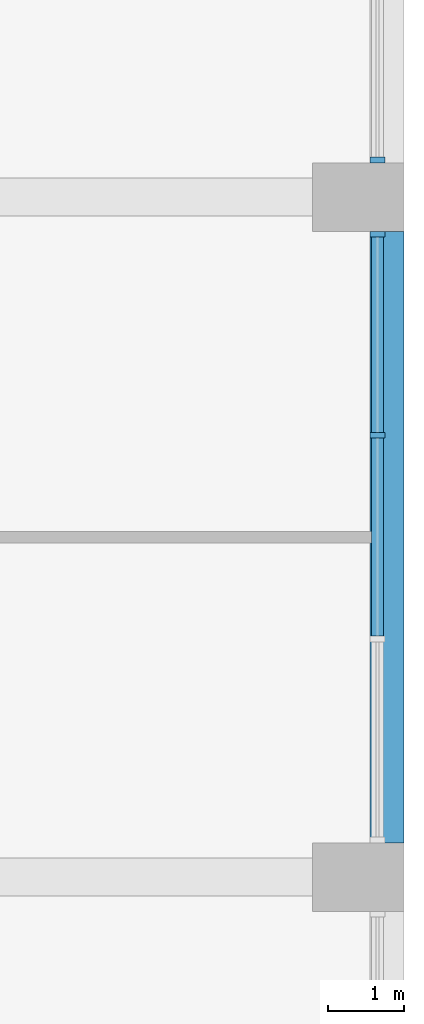
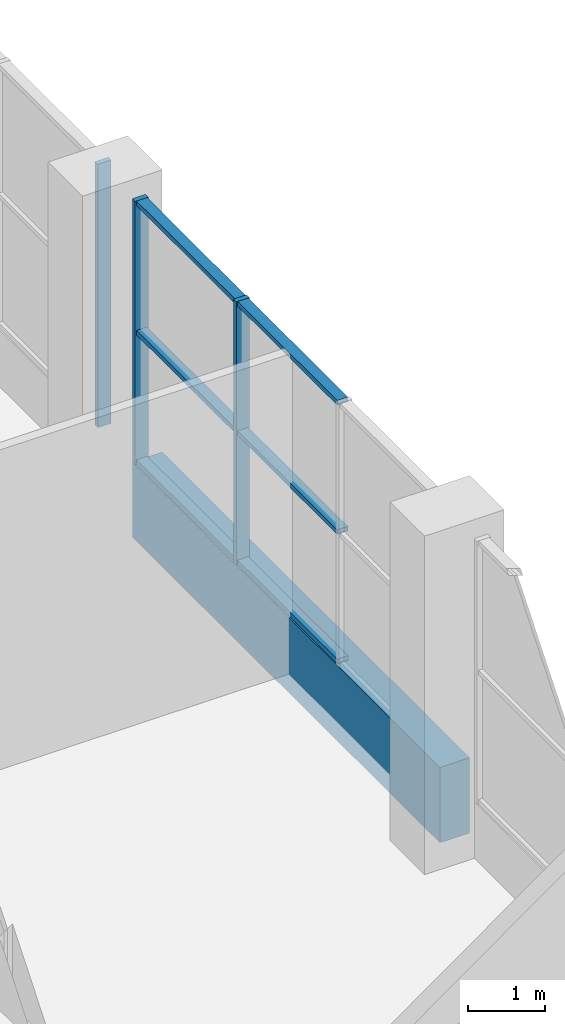
# One storey, part 5 of 16: 9 members, 1 beam, 2 elements without a shape of their own.
"""IFC4 building model written with IfcOpenShell, lengths in metres."""

from ifc_helpers import new_model, si_unit, direction, frame, origin, origin_2d, place, context, subcontext, project, spatial, rectangle, extrude, material, material_profile, profile_set, type_object, element, aggregate, save


model = new_model("IFC4")

# Units and contexts
model_context = context("Model", 3, precision=1e-05, world=origin(), true_north=direction((0.0, 1.0)))
body_context = subcontext(model_context, "Body", "Model", "MODEL_VIEW")
ifc_project = project(units=[si_unit("LENGTHUNIT", "METRE"), si_unit("AREAUNIT", "SQUARE_METRE"), si_unit("VOLUMEUNIT", "CUBIC_METRE"), si_unit("PLANEANGLEUNIT", "RADIAN"), si_unit("MASSUNIT", "GRAM", prefix="KILO")], contexts=[model_context])

# Site, building, storey
site_placement = place(None, origin())
site = spatial("IfcSite", under=ifc_project, at=site_placement, CompositionType="ELEMENT")
building_placement = place(site_placement, origin())
building = spatial("IfcBuilding", under=site, at=building_placement, Name="Msitu Wima Residences", CompositionType="ELEMENT")
storey_placement = place(building_placement, frame((0.0, 0.0, 156.89990234375)))
storey = spatial("IfcBuildingStorey", under=building, at=storey_placement, Name="L36", CompositionType="ELEMENT", Elevation=156.89990234375)

# Curtain wall, members
ifc_material_1 = material(Name="Anodised aluminium, bronze finish, solar control laminated double glazing", Category="aluminium")
curtain_wall_type = type_object("IfcCurtainWallType", Name="Curtain wall CW2 sky amenity wall", PredefinedType="NOTDEFINED", material=ifc_material_1)
curtain_wall_1_placement = place(storey_placement, origin())
curtain_wall_1 = element("IfcCurtainWall", 1, at=curtain_wall_1_placement, inside=storey, type_object=curtain_wall_type, Name="Curtain wall CW2 L36 E1", PredefinedType="NOTDEFINED")
ifc_material_2 = material(Name="Anodised aluminium, bronze finish", Category="aluminium")
ifc_material_profile_1 = material_profile(ifc_material_2, rectangle(XDim=0.199951171875, YDim=0.074951171875, at=origin_2d()), Name="Mullion 75x200")
ifc_profile_set_1 = profile_set([ifc_material_profile_1], Name="Anodised aluminium, bronze finish")
member_type_1 = type_object("IfcMemberType", Name="Mullion CW2 75x200", PredefinedType="MULLION", material=ifc_profile_set_1)
member_1_placement = place(storey_placement, frame((26.5, 1.339599609375, 0.900146484375), z_axis=(0.0, 0.0, 1.0), x_axis=(-1.0, 0.0, 0.0)))
member_1 = element("IfcMember", 2, at=member_1_placement, type_object=member_type_1, Name="CW2 mullion 3", PredefinedType="MULLION", context=body_context, shape_type="SweptSolid", body=[
    extrude(rectangle(XDim=0.199951171875, YDim=0.074951171875, at=origin_2d()), origin(), (0.0, 0.0, 1.0), 4.199951171875),
])
member_2_placement = place(storey_placement, frame((26.5, 3.981201171875, 0.900146484375), z_axis=(0.0, 0.0, 1.0), x_axis=(-1.0, 0.0, 0.0)))
member_2 = element("IfcMember", 3, at=member_2_placement, type_object=member_type_1, Name="CW2 mullion 4", PredefinedType="MULLION", context=body_context, shape_type="SweptSolid", body=[
    extrude(rectangle(XDim=0.199951171875, YDim=0.074951171875, at=origin_2d()), origin(), (0.0, 0.0, 1.0), 4.199951171875),
])

# Curtain wall, member
curtain_wall_2_placement = place(storey_placement, origin())
curtain_wall_2 = element("IfcCurtainWall", 4, at=curtain_wall_2_placement, inside=storey, type_object=curtain_wall_type, Name="Curtain wall CW2 L36 E2", PredefinedType="NOTDEFINED")
member_3_placement = place(storey_placement, frame((26.5, 4.9560546875, 0.900146484375), z_axis=(0.0, 0.0, 1.0), x_axis=(-1.0, 0.0, 0.0)))
member_3 = element("IfcMember", 5, at=member_3_placement, type_object=member_type_1, Name="CW2 mullion 1", PredefinedType="MULLION", context=body_context, shape_type="SweptSolid", body=[
    extrude(rectangle(XDim=0.199951171875, YDim=0.074951171875, at=origin_2d()), origin(), (0.0, 0.0, 1.0), 4.199951171875),
])
aggregate(curtain_wall_2, [member_3])

# Beam
ifc_material_3 = material(Name="Concrete C50/60", Category="concrete")
ifc_material_profile_2 = material_profile(ifc_material_3, rectangle(XDim=0.449951171875, YDim=1.199951171875, at=origin_2d()), Name="RC 450x1200")
ifc_profile_set_2 = profile_set([ifc_material_profile_2], Name="Concrete C50/60")
beam_type = type_object("IfcBeamType", Name="Spandrel RC 450x1200 Concrete C50/60", PredefinedType="SPANDREL", material=ifc_profile_set_2)
beam_placement = place(storey_placement, frame((26.625, -4.0185546875, 0.300048828125), z_axis=(0.0, 1.0, 0.0), x_axis=(-1.0, 0.0, 0.0)))
element("IfcBeam", 6, at=beam_placement, inside=storey, type_object=beam_type, Name="Spandrel L36 E1", PredefinedType="SPANDREL", context=body_context, shape_type="SweptSolid", body=[
    extrude(rectangle(XDim=0.449951171875, YDim=1.199951171875, at=origin_2d()), origin(), (0.0, 0.0, 1.0), 8.037109375),
])

# Member
ifc_material_profile_3 = material_profile(ifc_material_2, rectangle(XDim=0.159912109375, YDim=0.074951171875, at=origin_2d()), Name="Transom 75x160")
ifc_profile_set_3 = profile_set([ifc_material_profile_3], Name="Anodised aluminium, bronze finish")
member_type_2 = type_object("IfcMemberType", Name="Transom CW2 75x160", PredefinedType="USERDEFINED", material=ifc_profile_set_3)
member_4_placement = place(storey_placement, frame((26.5, -1.302001953125, 0.9375), z_axis=(0.0, 1.0, 0.0), x_axis=(-1.0, 0.0, 0.0)))
member_4 = element("IfcMember", 7, at=member_4_placement, type_object=member_type_2, Name="CW2 transom 2.1", ObjectType="TRANSOM", PredefinedType="USERDEFINED", context=body_context, shape_type="SweptSolid", body=[
    extrude(rectangle(XDim=0.159912109375, YDim=0.074951171875, at=origin_2d()), origin(), (0.0, 0.0, 1.0), 2.60400390625),
])

member_5_placement = place(storey_placement, frame((26.5, -1.302001953125, 3.0), z_axis=(0.0, 1.0, 0.0), x_axis=(-1.0, 0.0, 0.0)))
member_5 = element("IfcMember", 8, at=member_5_placement, type_object=member_type_2, Name="CW2 transom 2.2", ObjectType="TRANSOM", PredefinedType="USERDEFINED", context=body_context, shape_type="SweptSolid", body=[
    extrude(rectangle(XDim=0.159912109375, YDim=0.074951171875, at=origin_2d()), origin(), (0.0, 0.0, 1.0), 2.60400390625),
])

member_6_placement = place(storey_placement, frame((26.5, -1.302001953125, 5.0625), z_axis=(0.0, 1.0, 0.0), x_axis=(-1.0, 0.0, 0.0)))
member_6 = element("IfcMember", 9, at=member_6_placement, type_object=member_type_2, Name="CW2 transom 2.3", ObjectType="TRANSOM", PredefinedType="USERDEFINED", context=body_context, shape_type="SweptSolid", body=[
    extrude(rectangle(XDim=0.159912109375, YDim=0.074951171875, at=origin_2d()), origin(), (0.0, 0.0, 1.0), 2.60400390625),
])

member_7_placement = place(storey_placement, frame((26.5, 1.376953125, 0.9375), z_axis=(0.0, 1.0, 0.0), x_axis=(-1.0, 0.0, 0.0)))
member_7 = element("IfcMember", 10, at=member_7_placement, type_object=member_type_2, Name="CW2 transom 3.1", ObjectType="TRANSOM", PredefinedType="USERDEFINED", context=body_context, shape_type="SweptSolid", body=[
    extrude(rectangle(XDim=0.159912109375, YDim=0.074951171875, at=origin_2d()), origin(), (0.0, 0.0, 1.0), 2.566650390625),
])

member_8_placement = place(storey_placement, frame((26.5, 1.376953125, 3.0), z_axis=(0.0, 1.0, 0.0), x_axis=(-1.0, 0.0, 0.0)))
member_8 = element("IfcMember", 11, at=member_8_placement, type_object=member_type_2, Name="CW2 transom 3.2", ObjectType="TRANSOM", PredefinedType="USERDEFINED", context=body_context, shape_type="SweptSolid", body=[
    extrude(rectangle(XDim=0.159912109375, YDim=0.074951171875, at=origin_2d()), origin(), (0.0, 0.0, 1.0), 2.566650390625),
])

member_9_placement = place(storey_placement, frame((26.5, 1.376953125, 5.0625), z_axis=(0.0, 1.0, 0.0), x_axis=(-1.0, 0.0, 0.0)))
member_9 = element("IfcMember", 12, at=member_9_placement, type_object=member_type_2, Name="CW2 transom 3.3", ObjectType="TRANSOM", PredefinedType="USERDEFINED", context=body_context, shape_type="SweptSolid", body=[
    extrude(rectangle(XDim=0.159912109375, YDim=0.074951171875, at=origin_2d()), origin(), (0.0, 0.0, 1.0), 2.566650390625),
])

aggregate(curtain_wall_1, [member_1, member_2, member_4, member_5, member_6, member_7, member_8, member_9])

save(model, "model.ifc")
